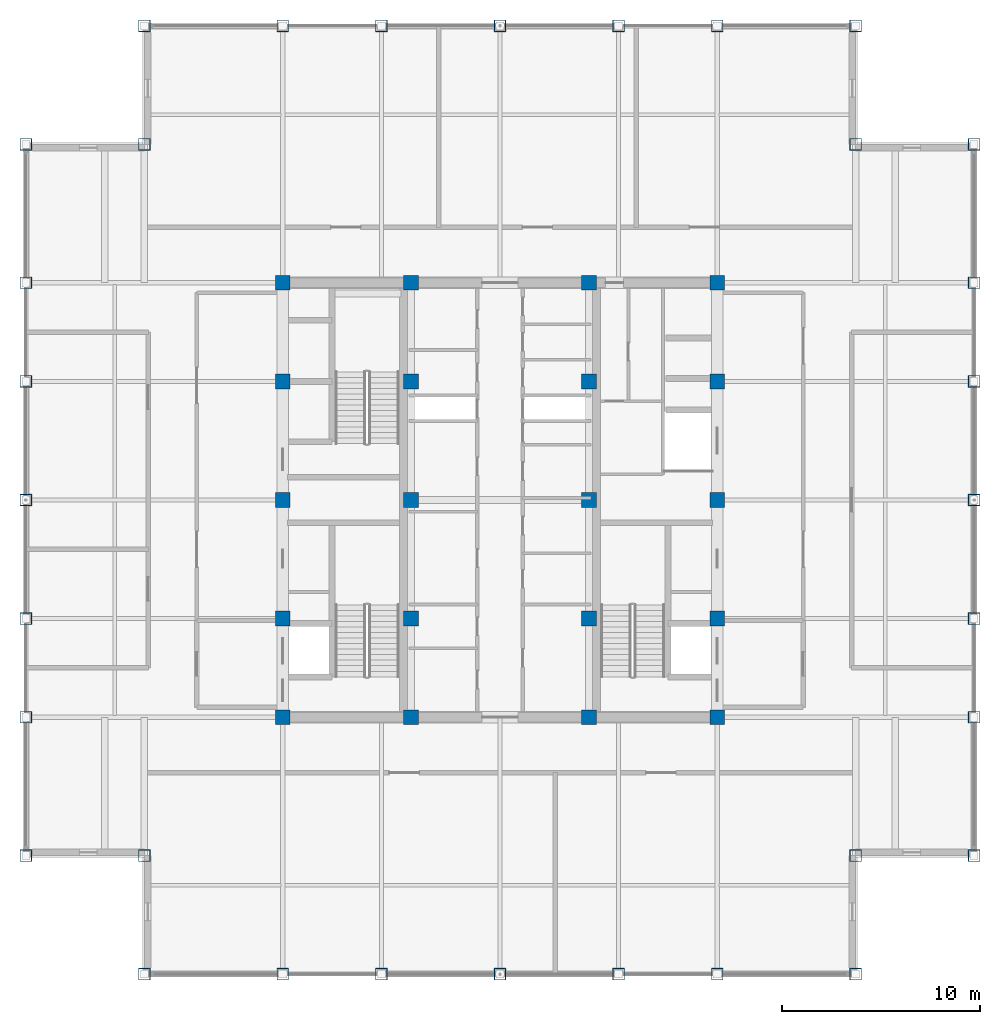
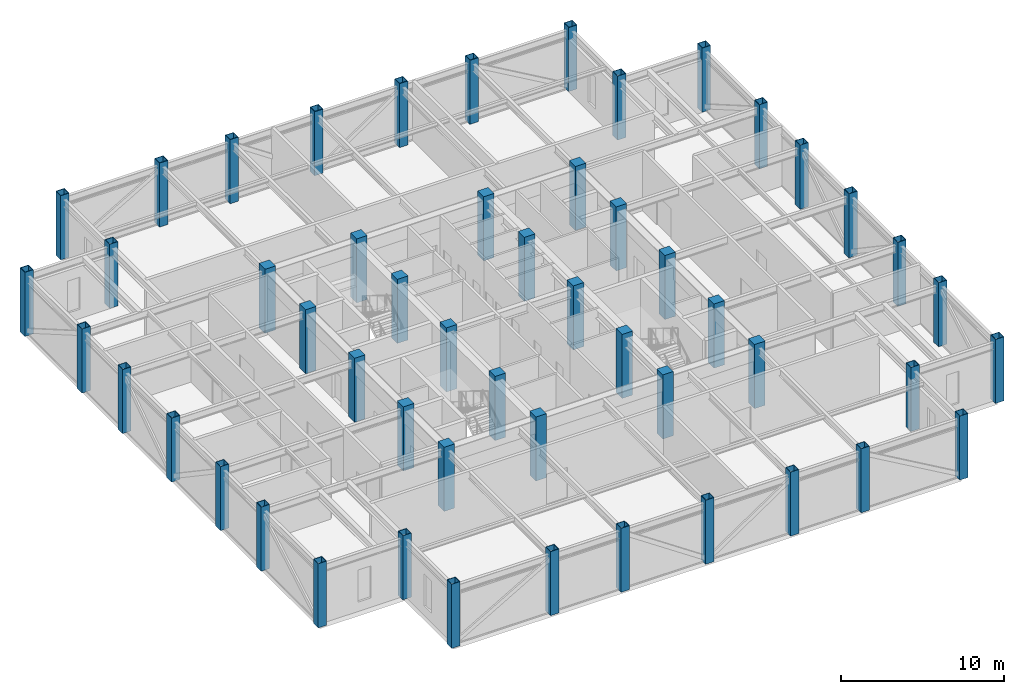
# One storey, part 1 of 27: 52 columns.
"""IFC4 building model written with IfcOpenShell, lengths in metres."""

from ifc_helpers import new_model, si_unit, direction, frame, origin, origin_2d, place, context, subcontext, project, spatial, rectangle, hollow_rectangle, extrude, source, transform, mapped, material, material_profile, profile_set, type_object, element, save


model = new_model("IFC4")

# Units and contexts
model_context = context("Model", 3, precision=1e-05, world=origin(), true_north=direction((0.0, 1.0)))
body_context = subcontext(model_context, "Body", "Model", "MODEL_VIEW")
ifc_project = project(units=[si_unit("LENGTHUNIT", "METRE"), si_unit("AREAUNIT", "SQUARE_METRE"), si_unit("VOLUMEUNIT", "CUBIC_METRE"), si_unit("PLANEANGLEUNIT", "RADIAN"), si_unit("MASSUNIT", "GRAM", prefix="KILO")], contexts=[model_context])

# Site, building, storey
site_placement = place(None, origin())
site = spatial("IfcSite", under=ifc_project, at=site_placement, CompositionType="ELEMENT")
building_placement = place(site_placement, origin())
building = spatial("IfcBuilding", under=site, at=building_placement, Name="Khorayat Bourse Tower", CompositionType="ELEMENT")
storey_placement = place(building_placement, frame((0.0, 0.0, 389.89990234375)))
storey = spatial("IfcBuildingStorey", under=building, at=storey_placement, Name="L92", CompositionType="ELEMENT", Elevation=389.89990234375)

# Columns
ifc_material_1 = material(Name="Concrete C52/65", Category="concrete")
ifc_material_profile_1 = material_profile(ifc_material_1, rectangle(XDim=0.75, YDim=0.75, at=origin_2d()), Name="RC 750x750")
ifc_profile_set_1 = profile_set([ifc_material_profile_1], Name="Concrete C52/65")
column_type_1 = type_object("IfcColumnType", Name="COL-CORE-750", PredefinedType="COLUMN", material=ifc_profile_set_1)
shared_shape_1 = source(origin(), body_context, "Body", "SweptSolid", [
    extrude(rectangle(XDim=0.75, YDim=0.75, at=origin_2d()), origin(), (0.0, 0.0, 1.0), 4.800048828125),
])
for number, where, z_axis, x_axis, name in (
    (1, (-11.0, -11.0, 0.0), (0.0, 0.0, 1.0), (1.0, 0.0, 0.0), "L92 Column 013"),
    (2, (-11.0, -6.0, 0.0), (0.0, 0.0, 1.0), (1.0, 0.0, 0.0), "L92 Column 014"),
    (3, (-11.0, 0.0, 0.0), (0.0, 0.0, 1.0), (1.0, 0.0, 0.0), "L92 Column 015"),
    (4, (-11.0, 6.0, 0.0), (0.0, 0.0, 1.0), (1.0, 0.0, 0.0), "L92 Column 016"),
    (5, (-11.0, 11.0, 0.0), (0.0, 0.0, 1.0), (1.0, 0.0, 0.0), "L92 Column 017"),
    (6, (-4.5, -11.0, 0.0), (0.0, 0.0, 1.0), (1.0, 0.0, 0.0), "L92 Column 021"),
    (7, (-4.5, -6.0, 0.0), (0.0, 0.0, 1.0), (1.0, 0.0, 0.0), "L92 Column 022"),
    (8, (-4.5, 0.0, 0.0), (0.0, 0.0, 1.0), (1.0, 0.0, 0.0), "L92 Column 023"),
    (9, (-4.5, 6.0, 0.0), (0.0, 0.0, 1.0), (1.0, 0.0, 0.0), "L92 Column 024"),
    (10, (-4.5, 11.0, 0.0), (0.0, 0.0, 1.0), (1.0, 0.0, 0.0), "L92 Column 025"),
    (11, (4.5, -11.0, 0.0), (0.0, 0.0, 1.0), (1.0, 0.0, 0.0), "L92 Column 028"),
    (12, (4.5, -6.0, 0.0), (0.0, 0.0, 1.0), (1.0, 0.0, 0.0), "L92 Column 029"),
    (13, (4.5, 0.0, 0.0), (0.0, 0.0, 1.0), (1.0, 0.0, 0.0), "L92 Column 030"),
    (14, (4.5, 6.0, 0.0), (0.0, 0.0, 1.0), (1.0, 0.0, 0.0), "L92 Column 031"),
    (15, (4.5, 11.0, 0.0), (0.0, 0.0, 1.0), (1.0, 0.0, 0.0), "L92 Column 032"),
    (16, (11.0, -11.0, 0.0), (0.0, 0.0, 1.0), (1.0, 0.0, 0.0), "L92 Column 036"),
    (17, (11.0, -6.0, 0.0), (0.0, 0.0, 1.0), (1.0, 0.0, 0.0), "L92 Column 037"),
    (18, (11.0, 0.0, 0.0), (0.0, 0.0, 1.0), (1.0, 0.0, 0.0), "L92 Column 038"),
    (19, (11.0, 6.0, 0.0), (0.0, 0.0, 1.0), (1.0, 0.0, 0.0), "L92 Column 039"),
    (20, (11.0, 11.0, 0.0), (0.0, 0.0, 1.0), (1.0, 0.0, 0.0), "L92 Column 040"),
):
    element("IfcColumn", number, at=place(storey_placement, frame(where, z_axis=z_axis, x_axis=x_axis)), inside=storey, type_object=column_type_1, Name=name, PredefinedType="COLUMN", context=body_context, shape_type="MappedRepresentation", body=[
        mapped(shared_shape_1, transform((0.0, 0.0, 0.0), scale=1.0)),
    ])
ifc_material_2 = material(Name="Steel EN 10025-2 S355J2", Category="steel")
ifc_material_profile_2 = material_profile(ifc_material_2, hollow_rectangle(XDim=0.60009765625, YDim=0.60009765625, WallThickness=0.034912109375, at=origin_2d()), Name="BOX 600x600x35")
ifc_profile_set_2 = profile_set([ifc_material_profile_2], Name="Steel EN 10025-2 S355J2")
column_type_2 = type_object("IfcColumnType", Name="COL-CROWN-600", PredefinedType="COLUMN", material=ifc_profile_set_2)
shared_shape_2 = source(origin(), body_context, "Body", "SweptSolid", [
    extrude(hollow_rectangle(XDim=0.60009765625, YDim=0.60009765625, WallThickness=0.034912109375, at=origin_2d()), origin(), (0.0, 0.0, 1.0), 4.800048828125),
])
for number, where, z_axis, x_axis, name in (
    (21, (-24.0, -18.0, 0.0), (0.0, 0.0, 1.0), (1.0, 0.0, 0.0), "L92 Column 001"),
    (22, (-24.0, -11.0, 0.0), (0.0, 0.0, 1.0), (1.0, 0.0, 0.0), "L92 Column 002"),
    (23, (-24.0, -6.0, 0.0), (0.0, 0.0, 1.0), (1.0, 0.0, 0.0), "L92 Column 003"),
    (24, (-24.0, 0.0, 0.0), (0.0, 0.0, 1.0), (1.0, 0.0, 0.0), "L92 Column 004"),
    (25, (-24.0, 6.0, 0.0), (0.0, 0.0, 1.0), (1.0, 0.0, 0.0), "L92 Column 005"),
    (26, (-24.0, 11.0, 0.0), (0.0, 0.0, 1.0), (1.0, 0.0, 0.0), "L92 Column 006"),
    (27, (-24.0, 18.0, 0.0), (0.0, 0.0, 1.0), (1.0, 0.0, 0.0), "L92 Column 007"),
    (28, (-18.0, -24.0, 0.0), (0.0, 0.0, 1.0), (1.0, 0.0, 0.0), "L92 Column 008"),
    (29, (-18.0, -18.0, 0.0), (0.0, 0.0, 1.0), (1.0, 0.0, 0.0), "L92 Column 009"),
    (30, (-18.0, 18.0, 0.0), (0.0, 0.0, 1.0), (1.0, 0.0, 0.0), "L92 Column 010"),
    (31, (-18.0, 24.0, 0.0), (0.0, 0.0, 1.0), (1.0, 0.0, 0.0), "L92 Column 011"),
    (32, (-11.0, -24.0, 0.0), (0.0, 0.0, 1.0), (1.0, 0.0, 0.0), "L92 Column 012"),
    (33, (-11.0, 24.0, 0.0), (0.0, 0.0, 1.0), (1.0, 0.0, 0.0), "L92 Column 018"),
    (34, (-6.0, -24.0, 0.0), (0.0, 0.0, 1.0), (1.0, 0.0, 0.0), "L92 Column 019"),
    (35, (-6.0, 24.0, 0.0), (0.0, 0.0, 1.0), (1.0, 0.0, 0.0), "L92 Column 020"),
    (36, (0.0, -24.0, 0.0), (0.0, 0.0, 1.0), (1.0, 0.0, 0.0), "L92 Column 026"),
    (37, (0.0, 24.0, 0.0), (0.0, 0.0, 1.0), (1.0, 0.0, 0.0), "L92 Column 027"),
    (38, (6.0, -24.0, 0.0), (0.0, 0.0, 1.0), (1.0, 0.0, 0.0), "L92 Column 033"),
    (39, (6.0, 24.0, 0.0), (0.0, 0.0, 1.0), (1.0, 0.0, 0.0), "L92 Column 034"),
    (40, (11.0, -24.0, 0.0), (0.0, 0.0, 1.0), (1.0, 0.0, 0.0), "L92 Column 035"),
    (41, (11.0, 24.0, 0.0), (0.0, 0.0, 1.0), (1.0, 0.0, 0.0), "L92 Column 041"),
    (42, (18.0, -24.0, 0.0), (0.0, 0.0, 1.0), (1.0, 0.0, 0.0), "L92 Column 042"),
    (43, (18.0, -18.0, 0.0), (0.0, 0.0, 1.0), (1.0, 0.0, 0.0), "L92 Column 043"),
    (44, (18.0, 18.0, 0.0), (0.0, 0.0, 1.0), (1.0, 0.0, 0.0), "L92 Column 044"),
    (45, (18.0, 24.0, 0.0), (0.0, 0.0, 1.0), (1.0, 0.0, 0.0), "L92 Column 045"),
    (46, (24.0, -18.0, 0.0), (0.0, 0.0, 1.0), (1.0, 0.0, 0.0), "L92 Column 046"),
    (47, (24.0, -11.0, 0.0), (0.0, 0.0, 1.0), (1.0, 0.0, 0.0), "L92 Column 047"),
    (48, (24.0, -6.0, 0.0), (0.0, 0.0, 1.0), (1.0, 0.0, 0.0), "L92 Column 048"),
    (49, (24.0, 0.0, 0.0), (0.0, 0.0, 1.0), (1.0, 0.0, 0.0), "L92 Column 049"),
    (50, (24.0, 6.0, 0.0), (0.0, 0.0, 1.0), (1.0, 0.0, 0.0), "L92 Column 050"),
    (51, (24.0, 11.0, 0.0), (0.0, 0.0, 1.0), (1.0, 0.0, 0.0), "L92 Column 051"),
    (52, (24.0, 18.0, 0.0), (0.0, 0.0, 1.0), (1.0, 0.0, 0.0), "L92 Column 052"),
):
    element("IfcColumn", number, at=place(storey_placement, frame(where, z_axis=z_axis, x_axis=x_axis)), inside=storey, type_object=column_type_2, Name=name, PredefinedType="COLUMN", context=body_context, shape_type="MappedRepresentation", body=[
        mapped(shared_shape_2, transform((0.0, 0.0, 0.0), scale=1.0)),
    ])

save(model, "model.ifc")
